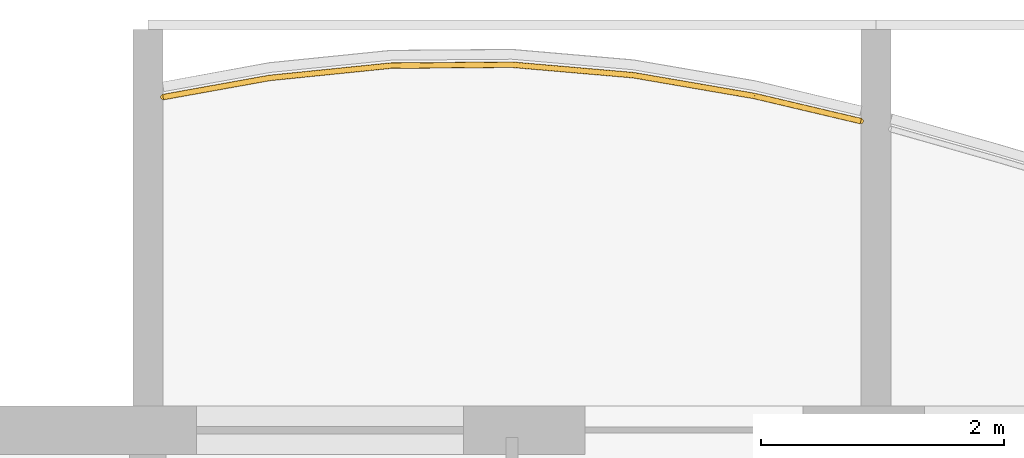
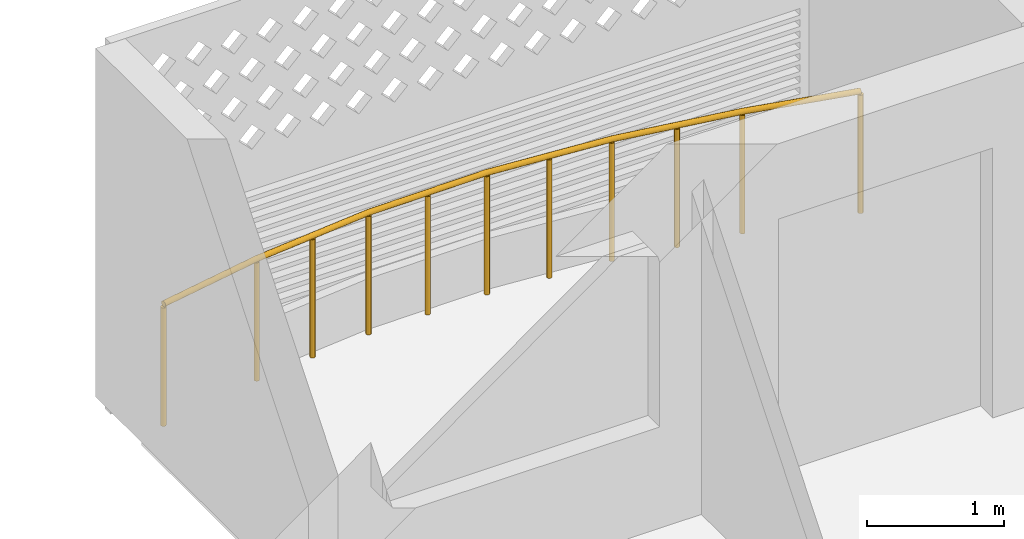
# One storey, part 17 of 32: 1 railing.
"""IFC4 building model written with IfcOpenShell, lengths in metres."""

from ifc_helpers import new_model, si_unit, direction, frame, origin, origin_2d, place, context, subcontext, project, spatial, circle, extrude, material, type_object, element, save


model = new_model("IFC4")

# Units and contexts
model_context = context("Model", 3, precision=1e-05, world=origin(), true_north=direction((0.0, 1.0)))
body_context = subcontext(model_context, "Body", "Model", "MODEL_VIEW")
ifc_project = project(units=[si_unit("LENGTHUNIT", "METRE"), si_unit("AREAUNIT", "SQUARE_METRE"), si_unit("VOLUMEUNIT", "CUBIC_METRE"), si_unit("PLANEANGLEUNIT", "RADIAN"), si_unit("MASSUNIT", "GRAM", prefix="KILO")], contexts=[model_context])

# Site, building, storey
site_placement = place(None, origin())
site = spatial("IfcSite", under=ifc_project, at=site_placement, CompositionType="ELEMENT")
building_placement = place(site_placement, origin())
building = spatial("IfcBuilding", under=site, at=building_placement, Name="Poui Terraces", CompositionType="ELEMENT")
storey_placement = place(building_placement, frame((0.0, 0.0, 125.699951171875)))
storey = spatial("IfcBuildingStorey", under=building, at=storey_placement, Name="L34", CompositionType="ELEMENT", Elevation=125.699951171875)

# Railing
ifc_material = material(Name="Painted steel fretwork", Category="steel")
railing_type = type_object("IfcRailingType", Name="BALCONY GUARD 1100", PredefinedType="GUARDRAIL", material=ifc_material)
railing_placement = place(storey_placement, frame((18.125, 45.144775390625, 0.0)))
element("IfcRailing", 1, at=railing_placement, inside=storey, type_object=railing_type, Name="BALCONY GUARD", PredefinedType="GUARDRAIL", context=body_context, shape_type="SweptSolid", body=[
    extrude(circle(Radius=0.02392578125, at=origin_2d()), frame((0.0, 0.0, 1.076171875), z_axis=(0.984189068803, 0.177121079626, 0.0), x_axis=(-0.177121079626, 0.984189068803, 0.0)), (0.0, 0.0, 1.0), 0.88916015625),
    extrude(circle(Radius=0.02392578125, at=origin_2d()), frame((0.875, 0.157470703125, 1.076171875), z_axis=(0.994882088655, 0.101042712129, 0.0), x_axis=(-0.101042712129, 0.994882088655, 0.0)), (0.0, 0.0, 1.0), 1.005126953125),
    extrude(circle(Radius=0.02392578125, at=origin_2d()), frame((1.875, 0.259033203125, 1.076171875), z_axis=(0.999969483819, 0.007812261592, 0.0), x_axis=(-0.007812261592, 0.999969483819, 0.0)), (0.0, 0.0, 1.0), 1.0),
    extrude(circle(Radius=0.02392578125, at=origin_2d()), frame((2.875, 0.266845703125, 1.076171875), z_axis=(0.996286084847, -0.086104803231, 0.0), x_axis=(0.086104803231, 0.996286084847, 0.0)), (0.0, 0.0, 1.0), 1.003662109375),
    extrude(circle(Radius=0.02392578125, at=origin_2d()), frame((3.875, 0.180419921875, 1.076171875), z_axis=(0.98554889076, -0.169391215599, 0.0), x_axis=(0.169391215599, 0.98554889076, 0.0)), (0.0, 0.0, 1.0), 1.0146484375),
    extrude(circle(Radius=0.02392578125, at=origin_2d()), frame((4.875, 0.008544921875, 1.076171875), z_axis=(0.973253095993, -0.229735524333, 0.0), x_axis=(0.229735524333, 0.973253095993, 0.0)), (0.0, 0.0, 1.0), 0.89892578125),
    extrude(circle(Radius=0.02099609375, at=origin_2d()), origin(), (0.0, 0.0, 1.0), 1.052001953125),
    extrude(circle(Radius=0.02099609375, at=origin_2d()), frame((0.875, 0.157470703125, 0.0)), (0.0, 0.0, 1.0), 1.052001953125),
    extrude(circle(Radius=0.02099609375, at=origin_2d()), frame((1.375, 0.208251953125, 0.0)), (0.0, 0.0, 1.0), 1.052001953125),
    extrude(circle(Radius=0.02099609375, at=origin_2d()), frame((1.875, 0.259033203125, 0.0)), (0.0, 0.0, 1.0), 1.052001953125),
    extrude(circle(Radius=0.02099609375, at=origin_2d()), frame((2.375, 0.262939453125, 0.0)), (0.0, 0.0, 1.0), 1.052001953125),
    extrude(circle(Radius=0.02099609375, at=origin_2d()), frame((2.875, 0.266845703125, 0.0)), (0.0, 0.0, 1.0), 1.052001953125),
    extrude(circle(Radius=0.02099609375, at=origin_2d()), frame((3.375, 0.2236328125, 0.0)), (0.0, 0.0, 1.0), 1.052001953125),
    extrude(circle(Radius=0.02099609375, at=origin_2d()), frame((3.875, 0.180419921875, 0.0)), (0.0, 0.0, 1.0), 1.052001953125),
    extrude(circle(Radius=0.02099609375, at=origin_2d()), frame((4.375, 0.094482421875, 0.0)), (0.0, 0.0, 1.0), 1.052001953125),
    extrude(circle(Radius=0.02099609375, at=origin_2d()), frame((4.875, 0.008544921875, 0.0)), (0.0, 0.0, 1.0), 1.052001953125),
    extrude(circle(Radius=0.02099609375, at=origin_2d()), frame((5.75, -0.197998046875, 0.0)), (0.0, 0.0, 1.0), 1.052001953125),
])

save(model, "model.ifc")
